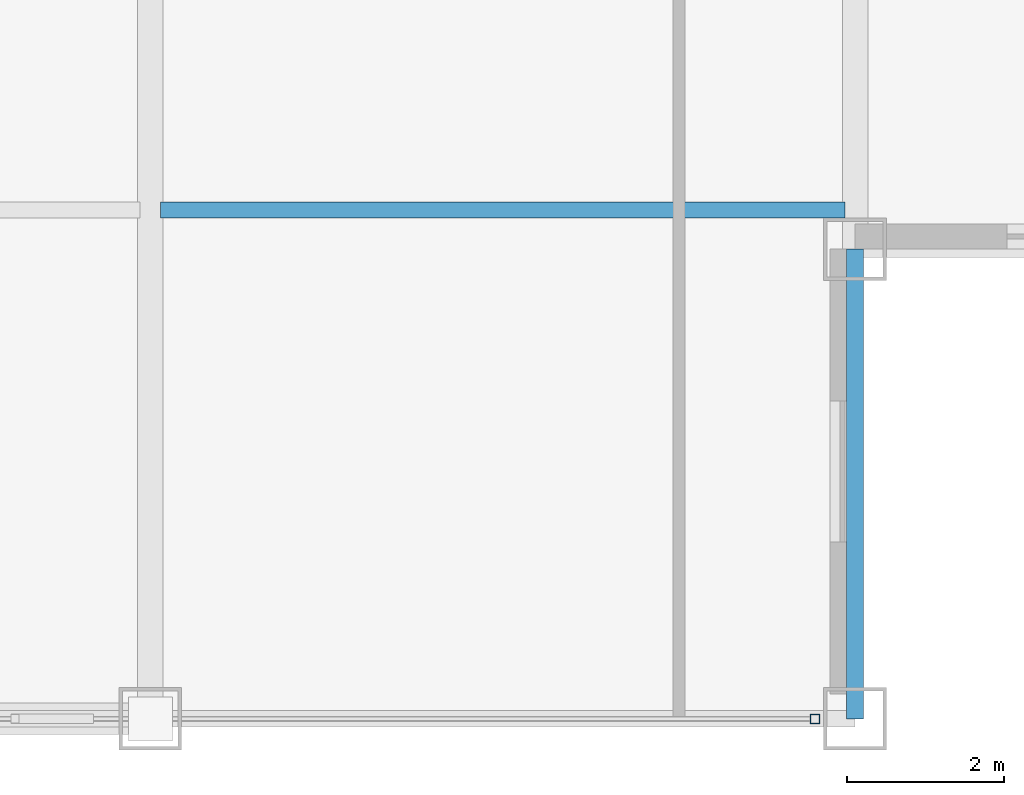
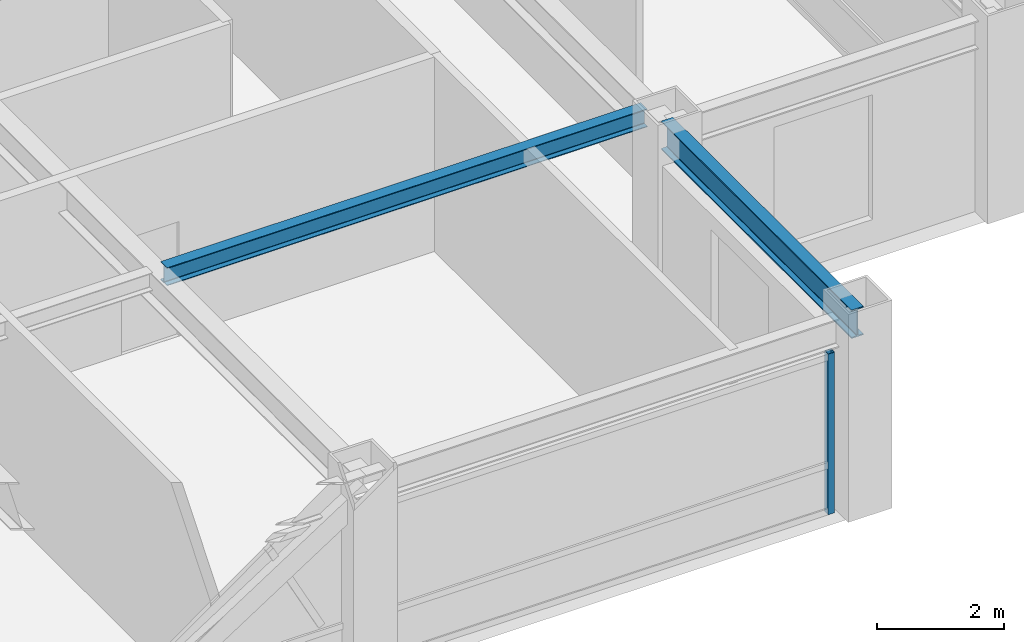
# One storey, part 8 of 28: 2 beams, 1 member, 1 element without a shape of its own.
"""IFC4 building model written with IfcOpenShell, lengths in metres."""

from ifc_helpers import new_model, si_unit, direction, frame, origin, origin_2d, place, context, subcontext, project, spatial, hollow_rectangle, i_section, extrude, source, transform, mapped, material, material_profile, profile_set, type_object, element, aggregate, save


model = new_model("IFC4")

# Units and contexts
model_context = context("Model", 3, precision=1e-05, world=origin(), true_north=direction((0.0, 1.0)))
body_context = subcontext(model_context, "Body", "Model", "MODEL_VIEW")
ifc_project = project(units=[si_unit("LENGTHUNIT", "METRE"), si_unit("AREAUNIT", "SQUARE_METRE"), si_unit("VOLUMEUNIT", "CUBIC_METRE"), si_unit("PLANEANGLEUNIT", "RADIAN"), si_unit("MASSUNIT", "GRAM", prefix="KILO")], contexts=[model_context])

# Site, building, storey
site_placement = place(None, origin())
site = spatial("IfcSite", under=ifc_project, at=site_placement, CompositionType="ELEMENT")
building_placement = place(site_placement, origin())
building = spatial("IfcBuilding", under=site, at=building_placement, Name="Khorayat Bourse Tower", CompositionType="ELEMENT")
storey_placement = place(building_placement, frame((0.0, 0.0, 334.300048828125)))
storey = spatial("IfcBuildingStorey", under=building, at=storey_placement, Name="L79", CompositionType="ELEMENT", Elevation=334.300048828125)

# Beams
ifc_material_1 = material(Name="Steel ASTM A992 Grade 50", Category="steel")
ifc_material_profile_1 = material_profile(ifc_material_1, i_section(OverallWidth=0.214111328125, OverallDepth=0.549072265625, WebThickness=0.0146484375, FlangeThickness=0.023681640625, FilletRadius=0.013916015625, at=origin_2d()), Name="W530X138")
ifc_profile_set_1 = profile_set([ifc_material_profile_1], Name="Steel ASTM A992 Grade 50")
beam_type_1 = type_object("IfcBeamType", Name="BM-SPAN-530", PredefinedType="SPANDREL", material=ifc_profile_set_1)
shared_shape_1 = source(origin(), body_context, "Body", "SweptSolid", [
    extrude(i_section(OverallWidth=0.214111328125, OverallDepth=0.549072265625, WebThickness=0.0146484375, FlangeThickness=0.023681640625, FilletRadius=0.013916015625, at=origin_2d()), origin(), (0.0, 0.0, 1.0), 6.0),
])
beam_1_placement = place(storey_placement, frame((20.0, -26.0, 3.46533203125), z_axis=(0.0, 1.0, 0.0), x_axis=(-1.0, 0.0, 0.0)))
element("IfcBeam", 1, at=beam_1_placement, inside=storey, type_object=beam_type_1, Name="L79 BM-SPAN-530 BM-L79-SPN-030", PredefinedType="SPANDREL", context=body_context, shape_type="MappedRepresentation", body=[
    mapped(shared_shape_1, transform((0.0, 0.0, 0.0), scale=1.0)),
])
ifc_material_profile_2 = material_profile(ifc_material_1, i_section(OverallWidth=0.202880859375, OverallDepth=0.346923828125, WebThickness=0.0078125, FlangeThickness=0.013427734375, FilletRadius=0.010009765625, at=origin_2d()), Name="W360X64")
ifc_profile_set_2 = profile_set([ifc_material_profile_2], Name="Steel ASTM A992 Grade 50")
beam_type_2 = type_object("IfcBeamType", Name="BM-JOIST-360", PredefinedType="JOIST", material=ifc_profile_set_2)
shared_shape_2 = source(origin(), body_context, "Body", "SweptSolid", [
    extrude(i_section(OverallWidth=0.202880859375, OverallDepth=0.346923828125, WebThickness=0.0078125, FlangeThickness=0.013427734375, FilletRadius=0.010009765625, at=origin_2d()), origin(), (0.0, 0.0, 1.0), 8.740234375),
])
beam_2_placement = place(storey_placement, frame((11.1298828125, -19.5, 3.56640625), z_axis=(1.0, 0.0, 0.0), x_axis=(0.0, 1.0, 0.0)))
element("IfcBeam", 2, at=beam_2_placement, inside=storey, type_object=beam_type_2, Name="L79 BM-JOIST-360 BM-L79-JSTX-082", PredefinedType="JOIST", context=body_context, shape_type="MappedRepresentation", body=[
    mapped(shared_shape_2, transform((0.0, 0.0, 0.0), scale=1.0)),
])

# Curtain wall, member
ifc_material_2 = material(Name="Aluminium EN AW-6063 T6", Category="aluminium")
curtain_wall_type = type_object("IfcCurtainWallType", Name="CW-SYS-04", PredefinedType="NOTDEFINED", material=ifc_material_2)
curtain_wall_placement = place(storey_placement, origin())
curtain_wall = element("IfcCurtainWall", 3, at=curtain_wall_placement, inside=storey, type_object=curtain_wall_type, Name="L79 Curtain Wall CW-L79-S1", PredefinedType="NOTDEFINED")
ifc_material_profile_3 = material_profile(ifc_material_2, hollow_rectangle(XDim=0.1201171875, YDim=0.1201171875, WallThickness=0.0048828125, at=origin_2d()), Name="ALU 120x120x5")
ifc_profile_set_3 = profile_set([ifc_material_profile_3], Name="Aluminium EN AW-6063 T6")
member_type = type_object("IfcMemberType", Name="CWM-VERT-120", PredefinedType="MULLION", material=ifc_profile_set_3)
shared_shape_3 = source(origin(), body_context, "Body", "SweptSolid", [
    extrude(hollow_rectangle(XDim=0.1201171875, YDim=0.1201171875, WallThickness=0.0048828125, at=origin_2d()), origin(), (0.0, 0.0, 1.0), 3.08984375),
])
member_placement = place(storey_placement, frame((19.489990234375, -26.0, 0.0), z_axis=(0.0, 0.0, 1.0), x_axis=(0.0, 1.0, 0.0)))
member = element("IfcMember", 4, at=member_placement, type_object=member_type, Name="CW-L79-S1 Vertical Mullion 3", PredefinedType="MULLION", context=body_context, shape_type="MappedRepresentation", body=[
    mapped(shared_shape_3, transform((0.0, 0.0, 0.0), scale=1.0)),
])
aggregate(curtain_wall, [member])

save(model, "model.ifc")
